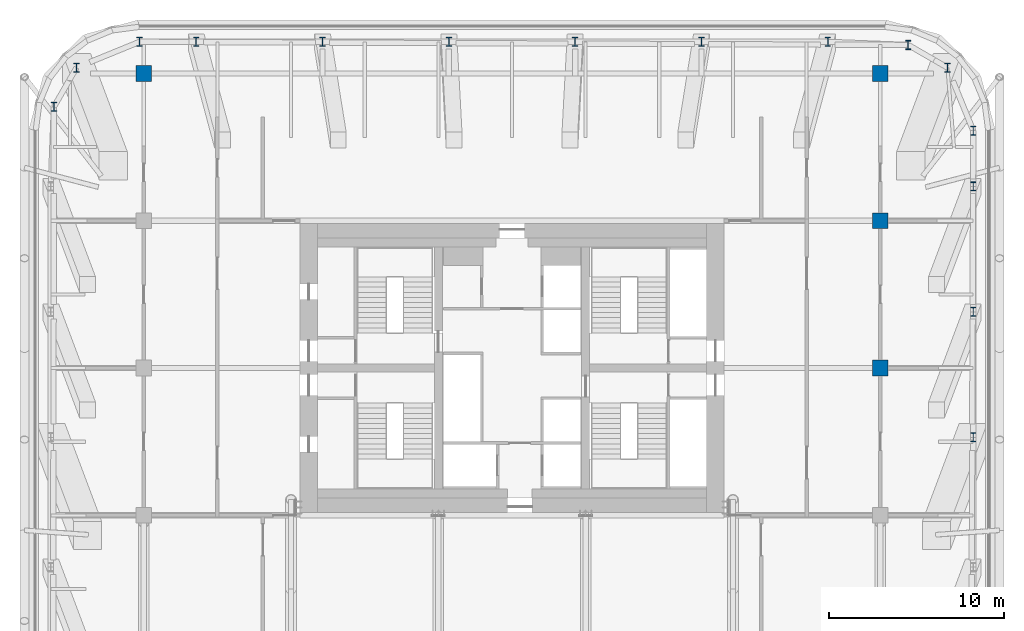
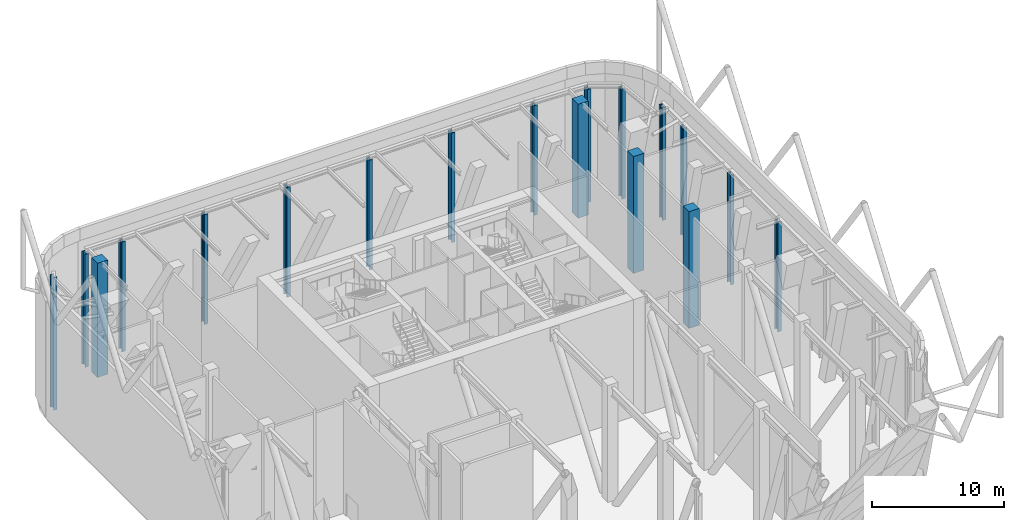
# One storey, part 2 of 20: 19 columns.
"""IFC4 building model written with IfcOpenShell, lengths in metres."""

import ifcopenshell
import ifcopenshell.guid

model = None  # the IFC model being written
_history = None  # IfcOwnerHistory: only IFC2X3 demands one
_inside = {}  # id of a spatial element -> (the spatial element, [elements in it])
_under = {}  # id of a project, library or spatial element -> (it, [spatial elements below it])
_declared = {}  # id of a project -> (the project, [libraries it declares])
_typed = {}  # id of a type object -> (the type object, [elements of that type])
_made_of = {}  # id of a material, layer set ... -> (it, [elements and type objects made of it])


def new_model(schema):
    """Start an empty IFC model of exactly this schema.

    Asked for "IFC4X3", IfcOpenShell would pick the latest addendum, in which some entities
    have other attributes; the version numbers below select the first issue.
    IFC2X3 requires an IfcOwnerHistory on every rooted entity: one is made here for all.
    """
    global model, _history
    if schema == "IFC4X3":
        model = ifcopenshell.file(schema_version=(4, 3, 0, 0))
    else:
        model = ifcopenshell.file(schema=schema)
    _inside.clear()
    _under.clear()
    _declared.clear()
    _typed.clear()
    _made_of.clear()
    _history = None
    if model.schema == "IFC2X3":
        org = make("IfcOrganization", Name="unknown")
        user = make(
            "IfcPersonAndOrganization",
            ThePerson=make("IfcPerson", FamilyName="unknown"),
            TheOrganization=org,
        )
        app = make(
            "IfcApplication",
            ApplicationDeveloper=org,
            Version="unknown",
            ApplicationFullName="unknown",
            ApplicationIdentifier="unknown",
        )
        _history = make(
            "IfcOwnerHistory",
            OwningUser=user,
            OwningApplication=app,
            ChangeAction="ADDED",
            CreationDate=0,
        )
    return model


def make(cls, **values):
    """One entity of the class cls with the attributes given. An attribute that is None is left unset."""
    return model.create_entity(
        cls, **{name: value for name, value in values.items() if value is not None}
    )


def rooted(cls, **values):
    """An entity with a GlobalId (a new one), such as an element, a storey or a relation."""
    return make(cls, GlobalId=ifcopenshell.guid.new(), OwnerHistory=_history, **values)


def si_unit(unit_type, name, prefix=None):
    """IfcSIUnit, for example si_unit("LENGTHUNIT", "METRE", prefix="MILLI")."""
    return make("IfcSIUnit", UnitType=unit_type, Prefix=prefix, Name=name)


def assignment(units):
    """IfcUnitAssignment: the units of a project."""
    return None if units is None else make("IfcUnitAssignment", Units=units)


def point(xyz):
    """IfcCartesianPoint."""
    return None if xyz is None else make("IfcCartesianPoint", Coordinates=xyz)


def direction(xyz):
    """IfcDirection."""
    return None if xyz is None else make("IfcDirection", DirectionRatios=xyz)


def frame(location, z_axis=None, x_axis=None):
    """IfcAxis2Placement3D, a coordinate frame: its origin and axes. An axis left out is left unset."""
    return make(
        "IfcAxis2Placement3D",
        Location=point(location),
        Axis=direction(z_axis),
        RefDirection=direction(x_axis),
    )


def frame_2d(location, x_axis=None):
    """IfcAxis2Placement2D, a coordinate frame in the plane: its origin and x axis."""
    return make(
        "IfcAxis2Placement2D", Location=point(location), RefDirection=direction(x_axis)
    )


def origin():
    """The frame at (0, 0, 0) with its axes left unset."""
    return frame((0.0, 0.0, 0.0))


def origin_2d():
    """The frame at (0, 0) in the plane with its x axis left unset."""
    return frame_2d((0.0, 0.0))


def place(relative_to, where):
    """IfcLocalPlacement: puts the frame where relative to a parent placement (None: the world)."""
    return make(
        "IfcLocalPlacement", PlacementRelTo=relative_to, RelativePlacement=where
    )


def context(
    kind, dimensions, precision=None, world=None, true_north=None, identifier=None
):
    """IfcGeometricRepresentationContext, for example the 3D "Model" context."""
    return make(
        "IfcGeometricRepresentationContext",
        ContextIdentifier=identifier,
        ContextType=kind,
        CoordinateSpaceDimension=dimensions,
        Precision=precision,
        WorldCoordinateSystem=world,
        TrueNorth=true_north,
    )


def subcontext(parent, identifier, kind, view, scale=None):
    """IfcGeometricRepresentationSubContext, for example "Body" below "Model"."""
    return make(
        "IfcGeometricRepresentationSubContext",
        ContextIdentifier=identifier,
        ContextType=kind,
        ParentContext=parent,
        TargetScale=scale,
        TargetView=view,
    )


def project(units=None, contexts=None):
    """IfcProject with its units and contexts."""
    return rooted(
        "IfcProject",
        Name="project",
        RepresentationContexts=contexts,
        UnitsInContext=assignment(units),
    )


def spatial(cls, under=None, at=None, **own):
    """A site, building, storey or space (cls), placed at a placement, below another one or the project."""
    s = rooted(cls, ObjectPlacement=at, **own)
    if under is not None:
        _under.setdefault(under.id(), (under, []))[1].append(s)
    return s


def profile(cls, at=None, kind="AREA", **sizes):
    """A parametric profile (cls). Its sizes go by their IFC names, for example OverallWidth=200.0."""
    return make(cls, ProfileType=kind, Position=at, **sizes)


def rectangle(**sizes):
    """IfcRectangleProfileDef."""
    return profile("IfcRectangleProfileDef", **sizes)


def i_section(**sizes):
    """IfcIShapeProfileDef."""
    return profile("IfcIShapeProfileDef", **sizes)


def extrude(swept, where, along, depth):
    """IfcExtrudedAreaSolid: the profile swept, set in the frame where, extruded along a direction by depth."""
    return make(
        "IfcExtrudedAreaSolid",
        SweptArea=swept,
        Position=where,
        ExtrudedDirection=direction(along),
        Depth=depth,
    )


def shape(context_of_items, identifier, shape_type, items):
    """IfcShapeRepresentation: the items that make up one representation, for example the "Body"."""
    return make(
        "IfcShapeRepresentation",
        ContextOfItems=context_of_items,
        RepresentationIdentifier=identifier,
        RepresentationType=shape_type,
        Items=items,
    )


def material(Name=None, Category=None):
    """IfcMaterial."""
    return make("IfcMaterial", Name=Name, Category=Category)


def material_profile(
    of_material, cross_section, Name=None, Category=None, Priority=None
):
    """IfcMaterialProfile: a cross section and its material."""
    return make(
        "IfcMaterialProfile",
        Name=Name,
        Material=of_material,
        Profile=cross_section,
        Priority=Priority,
        Category=Category,
    )


def profile_set(profiles, Name=None, composite=None):
    """IfcMaterialProfileSet."""
    return make(
        "IfcMaterialProfileSet",
        Name=Name,
        MaterialProfiles=profiles,
        CompositeProfile=composite,
    )


def made_of(thing, what):
    """Note that an element or type object is made of a material, layer set ...; save() writes the relation."""
    if what is not None:
        _made_of.setdefault(what.id(), (what, []))[1].append(thing)
    return thing


def type_object(cls, material=None, **own):
    """A type object (cls), such as IfcWallType, which elements share."""
    return made_of(rooted(cls, **own), material)


def element(
    cls,
    number,
    at=None,
    inside=None,
    cuts=None,
    type_object=None,
    material=None,
    context=None,
    identifier="Body",
    shape_type=None,
    held_by="IfcProductDefinitionShape",
    body=None,
    shapes=None,
    **own,
):
    """One element of the class cls, such as IfcWall. Its Tag is "e" and its number.

    at: its placement. inside: the storey or other place that contains it. cuts: it is an
    opening in that element (IfcRelVoidsElement). A single representation is given by context,
    identifier, shape_type and body (its items); several are given by shapes. held_by: the class
    of the entity that holds the representations. save() writes the other relations.
    """
    e = rooted(cls, Tag="e%d" % number, ObjectPlacement=at, **own)
    if body is not None:
        shapes = [shape(context, identifier, shape_type, body)]
    if shapes is not None:
        e.Representation = make(held_by, Representations=shapes)
    if inside is not None:
        _inside.setdefault(inside.id(), (inside, []))[1].append(e)
    if cuts is not None:
        rooted(
            "IfcRelVoidsElement", RelatingBuildingElement=cuts, RelatedOpeningElement=e
        )
    if type_object is not None:
        _typed.setdefault(type_object.id(), (type_object, []))[1].append(e)
    return made_of(e, material)


def aggregate(whole, parts):
    """IfcRelAggregates: a whole, such as a stair, and the parts it consists of."""
    return rooted("IfcRelAggregates", RelatingObject=whole, RelatedObjects=parts)


def save(model, path):
    """Write the relations noted so far, then the file.

    IfcRelAggregates (storeys below a building ...), IfcRelContainedInSpatialStructure (elements
    in a storey), IfcRelDefinesByType, IfcRelAssociatesMaterial and IfcRelDeclares: one each for
    every whole, place, type object, material and project.
    """
    for whole, parts in _under.values():
        aggregate(whole, parts)
    for where, things in _inside.values():
        rooted(
            "IfcRelContainedInSpatialStructure",
            RelatedElements=things,
            RelatingStructure=where,
        )
    for kind, things in _typed.values():
        rooted("IfcRelDefinesByType", RelatedObjects=things, RelatingType=kind)
    for what, things in _made_of.values():
        rooted("IfcRelAssociatesMaterial", RelatedObjects=things, RelatingMaterial=what)
    for by, libraries in _declared.values():
        rooted("IfcRelDeclares", RelatingContext=by, RelatedDefinitions=libraries)
    model.write(path)


model = new_model("IFC4")

# Units and contexts
model_context = context("Model", 3, precision=1e-05, world=origin(), true_north=direction((0.0, 1.0)))
body_context = subcontext(model_context, "Body", "Model", "MODEL_VIEW")
ifc_project = project(units=[si_unit("LENGTHUNIT", "METRE"), si_unit("AREAUNIT", "SQUARE_METRE"), si_unit("VOLUMEUNIT", "CUBIC_METRE"), si_unit("PLANEANGLEUNIT", "RADIAN"), si_unit("MASSUNIT", "GRAM", prefix="KILO")], contexts=[model_context])

# Site, building, storey
site_placement = place(None, origin())
site = spatial("IfcSite", under=ifc_project, at=site_placement, CompositionType="ELEMENT")
building_placement = place(site_placement, origin())
building = spatial("IfcBuilding", under=site, at=building_placement, Name="Marenta Gate Hotel Tower", CompositionType="ELEMENT")
storey_placement = place(building_placement, frame((0.0, 0.0, 169.699951171875)))
storey = spatial("IfcBuildingStorey", under=building, at=storey_placement, Name="L40", CompositionType="ELEMENT", Elevation=169.699951171875)

# Columns
ifc_material_1 = material(Name="Concrete C70", Category="concrete")
ifc_material_profile_1 = material_profile(ifc_material_1, rectangle(XDim=0.89990234375, YDim=0.89990234375, at=origin_2d()), Name="900 x 900")
ifc_profile_set_1 = profile_set([ifc_material_profile_1], Name="Concrete C70")
column_type_1 = type_object("IfcColumnType", Name="Interior column 900 x 900 C70", PredefinedType="COLUMN", material=ifc_profile_set_1)
column_1_placement = place(storey_placement, frame((-21.0, 25.199951171875, 0.0), z_axis=(0.0, 0.0, 1.0), x_axis=(1.0, 0.0, 0.0)))
element("IfcColumn", 1, at=column_1_placement, inside=storey, type_object=column_type_1, Name="L40-IC-4I", PredefinedType="COLUMN", context=body_context, shape_type="SweptSolid", body=[
    extrude(rectangle(XDim=0.89990234375, YDim=0.89990234375, at=origin_2d()), origin(), (0.0, 0.0, 1.0), 10.5400390625),
])
for number, where, z_axis, x_axis, name in (
    (2, (21.0, 8.39990234375, 0.0), (0.0, 0.0, 1.0), (1.0, 0.0, 0.0), "L40-IC-9G"),
    (3, (21.0, 16.800048828125, 0.0), (0.0, 0.0, 1.0), (1.0, 0.0, 0.0), "L40-IC-9H"),
):
    element("IfcColumn", number, at=place(storey_placement, frame(where, z_axis=z_axis, x_axis=x_axis)), inside=storey, type_object=column_type_1, Name=name, PredefinedType="COLUMN", context=body_context, shape_type="SweptSolid", body=[
        extrude(rectangle(XDim=0.89990234375, YDim=0.89990234375, at=origin_2d()), origin(), (0.0, 0.0, 1.0), 10.800048828125),
    ])
column_2_placement = place(storey_placement, frame((21.0, 25.199951171875, 0.0), z_axis=(0.0, 0.0, 1.0), x_axis=(1.0, 0.0, 0.0)))
element("IfcColumn", 4, at=column_2_placement, inside=storey, type_object=column_type_1, Name="L40-IC-9I", PredefinedType="COLUMN", context=body_context, shape_type="SweptSolid", body=[
    extrude(rectangle(XDim=0.89990234375, YDim=0.89990234375, at=origin_2d()), origin(), (0.0, 0.0, 1.0), 10.5400390625),
])
ifc_material_2 = material(Name="Steel S355", Category="steel")
ifc_material_profile_2 = material_profile(ifc_material_2, i_section(OverallWidth=0.305908203125, OverallDepth=0.52392578125, WebThickness=0.02392578125, FlangeThickness=0.0400390625, FilletRadius=0.027099609375, at=origin_2d()), Name="HEM 500")
ifc_profile_set_2 = profile_set([ifc_material_profile_2], Name="Steel S355")
column_type_2 = type_object("IfcColumnType", Name="Terrace post HEM 500", PredefinedType="COLUMN", material=ifc_profile_set_2)
column_3_placement = place(storey_placement, frame((-26.121337890625, 23.291748046875, -0.300048828125), z_axis=(0.0, 0.0, 1.0), x_axis=(1.0, 0.0, 0.0)))
element("IfcColumn", 5, at=column_3_placement, inside=storey, type_object=column_type_2, Name="TP-HEM500 L40-TP-8", PredefinedType="COLUMN", context=body_context, shape_type="SweptSolid", body=[
    extrude(i_section(OverallWidth=0.305908203125, OverallDepth=0.52392578125, WebThickness=0.02392578125, FlangeThickness=0.0400390625, FilletRadius=0.027099609375, at=origin_2d()), origin(), (0.0, 0.0, 1.0), 10.440185546875),
])
column_4_placement = place(storey_placement, frame((-24.829345703125, 25.529296875, 0.0), z_axis=(0.0, 0.0, 1.0), x_axis=(1.0, 0.0, 0.0)))
element("IfcColumn", 6, at=column_4_placement, inside=storey, type_object=column_type_2, Name="TP-HEM500 L40-TP-9", PredefinedType="COLUMN", context=body_context, shape_type="SweptSolid", body=[
    extrude(i_section(OverallWidth=0.305908203125, OverallDepth=0.52392578125, WebThickness=0.02392578125, FlangeThickness=0.0400390625, FilletRadius=0.027099609375, at=origin_2d()), origin(), (0.0, 0.0, 1.0), 10.14013671875),
])
column_5_placement = place(storey_placement, frame((-21.234375, 27.0, -0.300048828125), z_axis=(0.0, 0.0, 1.0), x_axis=(1.0, 0.0, 0.0)))
element("IfcColumn", 7, at=column_5_placement, inside=storey, type_object=column_type_2, Name="TP-HEM500 L40-TP-10", PredefinedType="COLUMN", context=body_context, shape_type="SweptSolid", body=[
    extrude(i_section(OverallWidth=0.305908203125, OverallDepth=0.52392578125, WebThickness=0.02392578125, FlangeThickness=0.0400390625, FilletRadius=0.027099609375, at=origin_2d()), origin(), (0.0, 0.0, 1.0), 10.440185546875),
])
for number, where, z_axis, x_axis, name in (
    (8, (-18.0068359375, 27.0, 0.0), (0.0, 0.0, 1.0), (1.0, 0.0, 0.0), "TP-HEM500 L40-TP-11"),
    (9, (-10.80419921875, 27.0, 0.0), (0.0, 0.0, 1.0), (1.0, 0.0, 0.0), "TP-HEM500 L40-TP-12"),
    (10, (-3.601318359375, 27.0, 0.0), (0.0, 0.0, 1.0), (1.0, 0.0, 0.0), "TP-HEM500 L40-TP-13"),
    (11, (3.601318359375, 27.0, 0.0), (0.0, 0.0, 1.0), (1.0, 0.0, 0.0), "TP-HEM500 L40-TP-14"),
    (12, (10.80419921875, 27.0, 0.0), (0.0, 0.0, 1.0), (1.0, 0.0, 0.0), "TP-HEM500 L40-TP-15"),
    (13, (18.0068359375, 27.0, 0.0), (0.0, 0.0, 1.0), (1.0, 0.0, 0.0), "TP-HEM500 L40-TP-16"),
):
    element("IfcColumn", number, at=place(storey_placement, frame(where, z_axis=z_axis, x_axis=x_axis)), inside=storey, type_object=column_type_2, Name=name, PredefinedType="COLUMN", context=body_context, shape_type="SweptSolid", body=[
        extrude(i_section(OverallWidth=0.305908203125, OverallDepth=0.52392578125, WebThickness=0.02392578125, FlangeThickness=0.0400390625, FilletRadius=0.027099609375, at=origin_2d()), origin(), (0.0, 0.0, 1.0), 10.14013671875),
    ])
column_6_placement = place(storey_placement, frame((22.591796875, 26.8212890625, -0.300048828125), z_axis=(0.0, 0.0, 1.0), x_axis=(1.0, 0.0, 0.0)))
element("IfcColumn", 14, at=column_6_placement, inside=storey, type_object=column_type_2, Name="TP-HEM500 L40-TP-17", PredefinedType="COLUMN", context=body_context, shape_type="SweptSolid", body=[
    extrude(i_section(OverallWidth=0.305908203125, OverallDepth=0.52392578125, WebThickness=0.02392578125, FlangeThickness=0.0400390625, FilletRadius=0.027099609375, at=origin_2d()), origin(), (0.0, 0.0, 1.0), 10.440185546875),
])
column_7_placement = place(storey_placement, frame((24.829345703125, 25.529296875, 0.0), z_axis=(0.0, 0.0, 1.0), x_axis=(1.0, 0.0, 0.0)))
element("IfcColumn", 15, at=column_7_placement, inside=storey, type_object=column_type_2, Name="TP-HEM500 L40-TP-18", PredefinedType="COLUMN", context=body_context, shape_type="SweptSolid", body=[
    extrude(i_section(OverallWidth=0.305908203125, OverallDepth=0.52392578125, WebThickness=0.02392578125, FlangeThickness=0.0400390625, FilletRadius=0.027099609375, at=origin_2d()), origin(), (0.0, 0.0, 1.0), 10.14013671875),
])
column_8_placement = place(storey_placement, frame((26.300048828125, 21.9345703125, -0.300048828125), z_axis=(0.0, 0.0, 1.0), x_axis=(1.0, 0.0, 0.0)))
element("IfcColumn", 16, at=column_8_placement, inside=storey, type_object=column_type_2, Name="TP-HEM500 L40-TP-19", PredefinedType="COLUMN", context=body_context, shape_type="SweptSolid", body=[
    extrude(i_section(OverallWidth=0.305908203125, OverallDepth=0.52392578125, WebThickness=0.02392578125, FlangeThickness=0.0400390625, FilletRadius=0.027099609375, at=origin_2d()), origin(), (0.0, 0.0, 1.0), 10.440185546875),
])
for number, where, z_axis, x_axis, name in (
    (17, (26.300048828125, 18.75634765625, 0.0), (0.0, 0.0, 1.0), (1.0, 0.0, 0.0), "TP-HEM500 L40-TP-20"),
    (18, (26.300048828125, 11.603271484375, 0.0), (0.0, 0.0, 1.0), (1.0, 0.0, 0.0), "TP-HEM500 L40-TP-21"),
    (19, (26.300048828125, 4.449951171875, 0.0), (0.0, 0.0, 1.0), (1.0, 0.0, 0.0), "TP-HEM500 L40-TP-22"),
):
    element("IfcColumn", number, at=place(storey_placement, frame(where, z_axis=z_axis, x_axis=x_axis)), inside=storey, type_object=column_type_2, Name=name, PredefinedType="COLUMN", context=body_context, shape_type="SweptSolid", body=[
        extrude(i_section(OverallWidth=0.305908203125, OverallDepth=0.52392578125, WebThickness=0.02392578125, FlangeThickness=0.0400390625, FilletRadius=0.027099609375, at=origin_2d()), origin(), (0.0, 0.0, 1.0), 10.14013671875),
    ])

save(model, "model.ifc")
